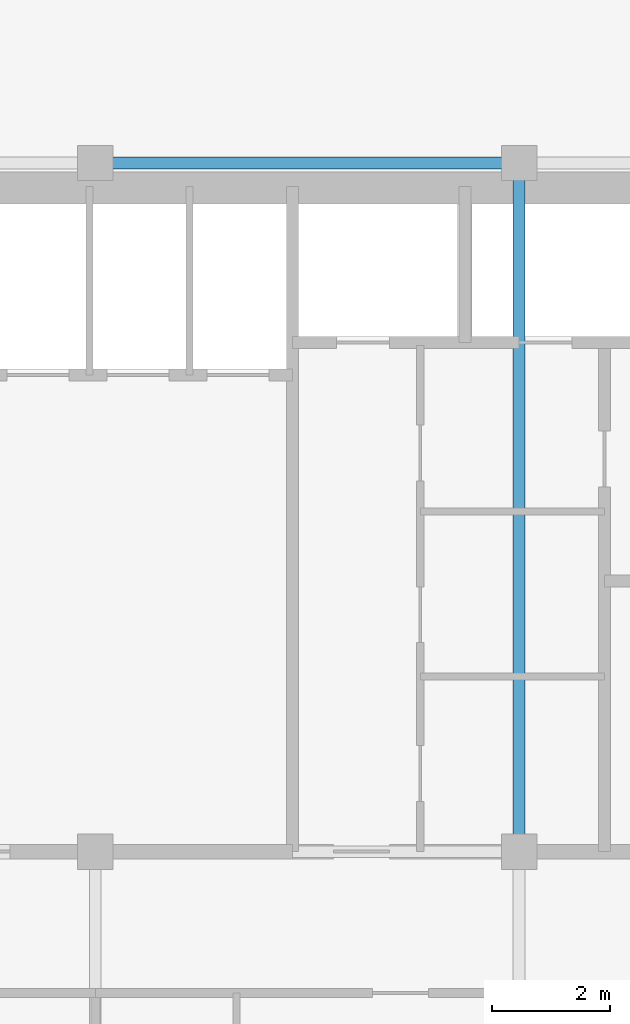
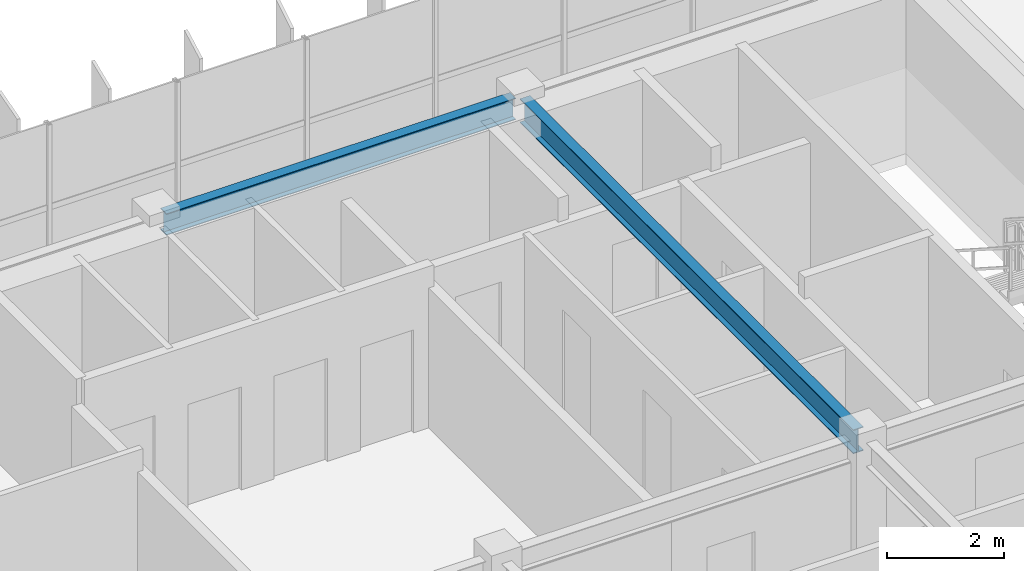
# One storey, part 10 of 22: 2 beams.
"""IFC4 building model written with IfcOpenShell, lengths in metres."""

import ifcopenshell
import ifcopenshell.guid

model = None  # the IFC model being written
_history = None  # IfcOwnerHistory: only IFC2X3 demands one
_inside = {}  # id of a spatial element -> (the spatial element, [elements in it])
_under = {}  # id of a project, library or spatial element -> (it, [spatial elements below it])
_declared = {}  # id of a project -> (the project, [libraries it declares])
_typed = {}  # id of a type object -> (the type object, [elements of that type])
_made_of = {}  # id of a material, layer set ... -> (it, [elements and type objects made of it])


def new_model(schema):
    """Start an empty IFC model of exactly this schema.

    Asked for "IFC4X3", IfcOpenShell would pick the latest addendum, in which some entities
    have other attributes; the version numbers below select the first issue.
    IFC2X3 requires an IfcOwnerHistory on every rooted entity: one is made here for all.
    """
    global model, _history
    if schema == "IFC4X3":
        model = ifcopenshell.file(schema_version=(4, 3, 0, 0))
    else:
        model = ifcopenshell.file(schema=schema)
    _inside.clear()
    _under.clear()
    _declared.clear()
    _typed.clear()
    _made_of.clear()
    _history = None
    if model.schema == "IFC2X3":
        org = make("IfcOrganization", Name="unknown")
        user = make(
            "IfcPersonAndOrganization",
            ThePerson=make("IfcPerson", FamilyName="unknown"),
            TheOrganization=org,
        )
        app = make(
            "IfcApplication",
            ApplicationDeveloper=org,
            Version="unknown",
            ApplicationFullName="unknown",
            ApplicationIdentifier="unknown",
        )
        _history = make(
            "IfcOwnerHistory",
            OwningUser=user,
            OwningApplication=app,
            ChangeAction="ADDED",
            CreationDate=0,
        )
    return model


def make(cls, **values):
    """One entity of the class cls with the attributes given. An attribute that is None is left unset."""
    return model.create_entity(
        cls, **{name: value for name, value in values.items() if value is not None}
    )


def rooted(cls, **values):
    """An entity with a GlobalId (a new one), such as an element, a storey or a relation."""
    return make(cls, GlobalId=ifcopenshell.guid.new(), OwnerHistory=_history, **values)


def si_unit(unit_type, name, prefix=None):
    """IfcSIUnit, for example si_unit("LENGTHUNIT", "METRE", prefix="MILLI")."""
    return make("IfcSIUnit", UnitType=unit_type, Prefix=prefix, Name=name)


def assignment(units):
    """IfcUnitAssignment: the units of a project."""
    return None if units is None else make("IfcUnitAssignment", Units=units)


def point(xyz):
    """IfcCartesianPoint."""
    return None if xyz is None else make("IfcCartesianPoint", Coordinates=xyz)


def direction(xyz):
    """IfcDirection."""
    return None if xyz is None else make("IfcDirection", DirectionRatios=xyz)


def frame(location, z_axis=None, x_axis=None):
    """IfcAxis2Placement3D, a coordinate frame: its origin and axes. An axis left out is left unset."""
    return make(
        "IfcAxis2Placement3D",
        Location=point(location),
        Axis=direction(z_axis),
        RefDirection=direction(x_axis),
    )


def frame_2d(location, x_axis=None):
    """IfcAxis2Placement2D, a coordinate frame in the plane: its origin and x axis."""
    return make(
        "IfcAxis2Placement2D", Location=point(location), RefDirection=direction(x_axis)
    )


def origin():
    """The frame at (0, 0, 0) with its axes left unset."""
    return frame((0.0, 0.0, 0.0))


def origin_2d():
    """The frame at (0, 0) in the plane with its x axis left unset."""
    return frame_2d((0.0, 0.0))


def place(relative_to, where):
    """IfcLocalPlacement: puts the frame where relative to a parent placement (None: the world)."""
    return make(
        "IfcLocalPlacement", PlacementRelTo=relative_to, RelativePlacement=where
    )


def context(
    kind, dimensions, precision=None, world=None, true_north=None, identifier=None
):
    """IfcGeometricRepresentationContext, for example the 3D "Model" context."""
    return make(
        "IfcGeometricRepresentationContext",
        ContextIdentifier=identifier,
        ContextType=kind,
        CoordinateSpaceDimension=dimensions,
        Precision=precision,
        WorldCoordinateSystem=world,
        TrueNorth=true_north,
    )


def subcontext(parent, identifier, kind, view, scale=None):
    """IfcGeometricRepresentationSubContext, for example "Body" below "Model"."""
    return make(
        "IfcGeometricRepresentationSubContext",
        ContextIdentifier=identifier,
        ContextType=kind,
        ParentContext=parent,
        TargetScale=scale,
        TargetView=view,
    )


def project(units=None, contexts=None):
    """IfcProject with its units and contexts."""
    return rooted(
        "IfcProject",
        Name="project",
        RepresentationContexts=contexts,
        UnitsInContext=assignment(units),
    )


def spatial(cls, under=None, at=None, **own):
    """A site, building, storey or space (cls), placed at a placement, below another one or the project."""
    s = rooted(cls, ObjectPlacement=at, **own)
    if under is not None:
        _under.setdefault(under.id(), (under, []))[1].append(s)
    return s


def profile(cls, at=None, kind="AREA", **sizes):
    """A parametric profile (cls). Its sizes go by their IFC names, for example OverallWidth=200.0."""
    return make(cls, ProfileType=kind, Position=at, **sizes)


def i_section(**sizes):
    """IfcIShapeProfileDef."""
    return profile("IfcIShapeProfileDef", **sizes)


def extrude(swept, where, along, depth):
    """IfcExtrudedAreaSolid: the profile swept, set in the frame where, extruded along a direction by depth."""
    return make(
        "IfcExtrudedAreaSolid",
        SweptArea=swept,
        Position=where,
        ExtrudedDirection=direction(along),
        Depth=depth,
    )


def shape(context_of_items, identifier, shape_type, items):
    """IfcShapeRepresentation: the items that make up one representation, for example the "Body"."""
    return make(
        "IfcShapeRepresentation",
        ContextOfItems=context_of_items,
        RepresentationIdentifier=identifier,
        RepresentationType=shape_type,
        Items=items,
    )


def source(mapping_origin, context_of_items, identifier, shape_type, items):
    """IfcRepresentationMap: a shape defined once, which mapped items show again and again."""
    return make(
        "IfcRepresentationMap",
        MappingOrigin=mapping_origin,
        MappedRepresentation=shape(context_of_items, identifier, shape_type, items),
    )


def transform(
    local_origin,
    x_axis=None,
    y_axis=None,
    z_axis=None,
    scale=None,
    scale2=None,
    scale3=None,
    uniform=True,
):
    """IfcCartesianTransformationOperator3D, or its non-uniform kind. x_axis, y_axis, z_axis: its Axis1, 2, 3."""
    if uniform:
        return make(
            "IfcCartesianTransformationOperator3D",
            Axis1=direction(x_axis),
            Axis2=direction(y_axis),
            LocalOrigin=point(local_origin),
            Scale=scale,
            Axis3=direction(z_axis),
        )
    return make(
        "IfcCartesianTransformationOperator3DnonUniform",
        Axis1=direction(x_axis),
        Axis2=direction(y_axis),
        LocalOrigin=point(local_origin),
        Scale=scale,
        Axis3=direction(z_axis),
        Scale2=scale2,
        Scale3=scale3,
    )


def mapped(mapping_source, mapping_target):
    """IfcMappedItem: shows the shape of a source again, moved by a transform."""
    return make(
        "IfcMappedItem", MappingSource=mapping_source, MappingTarget=mapping_target
    )


def material(Name=None, Category=None):
    """IfcMaterial."""
    return make("IfcMaterial", Name=Name, Category=Category)


def material_profile(
    of_material, cross_section, Name=None, Category=None, Priority=None
):
    """IfcMaterialProfile: a cross section and its material."""
    return make(
        "IfcMaterialProfile",
        Name=Name,
        Material=of_material,
        Profile=cross_section,
        Priority=Priority,
        Category=Category,
    )


def profile_set(profiles, Name=None, composite=None):
    """IfcMaterialProfileSet."""
    return make(
        "IfcMaterialProfileSet",
        Name=Name,
        MaterialProfiles=profiles,
        CompositeProfile=composite,
    )


def made_of(thing, what):
    """Note that an element or type object is made of a material, layer set ...; save() writes the relation."""
    if what is not None:
        _made_of.setdefault(what.id(), (what, []))[1].append(thing)
    return thing


def type_object(cls, material=None, **own):
    """A type object (cls), such as IfcWallType, which elements share."""
    return made_of(rooted(cls, **own), material)


def element(
    cls,
    number,
    at=None,
    inside=None,
    cuts=None,
    type_object=None,
    material=None,
    context=None,
    identifier="Body",
    shape_type=None,
    held_by="IfcProductDefinitionShape",
    body=None,
    shapes=None,
    **own,
):
    """One element of the class cls, such as IfcWall. Its Tag is "e" and its number.

    at: its placement. inside: the storey or other place that contains it. cuts: it is an
    opening in that element (IfcRelVoidsElement). A single representation is given by context,
    identifier, shape_type and body (its items); several are given by shapes. held_by: the class
    of the entity that holds the representations. save() writes the other relations.
    """
    e = rooted(cls, Tag="e%d" % number, ObjectPlacement=at, **own)
    if body is not None:
        shapes = [shape(context, identifier, shape_type, body)]
    if shapes is not None:
        e.Representation = make(held_by, Representations=shapes)
    if inside is not None:
        _inside.setdefault(inside.id(), (inside, []))[1].append(e)
    if cuts is not None:
        rooted(
            "IfcRelVoidsElement", RelatingBuildingElement=cuts, RelatedOpeningElement=e
        )
    if type_object is not None:
        _typed.setdefault(type_object.id(), (type_object, []))[1].append(e)
    return made_of(e, material)


def aggregate(whole, parts):
    """IfcRelAggregates: a whole, such as a stair, and the parts it consists of."""
    return rooted("IfcRelAggregates", RelatingObject=whole, RelatedObjects=parts)


def save(model, path):
    """Write the relations noted so far, then the file.

    IfcRelAggregates (storeys below a building ...), IfcRelContainedInSpatialStructure (elements
    in a storey), IfcRelDefinesByType, IfcRelAssociatesMaterial and IfcRelDeclares: one each for
    every whole, place, type object, material and project.
    """
    for whole, parts in _under.values():
        aggregate(whole, parts)
    for where, things in _inside.values():
        rooted(
            "IfcRelContainedInSpatialStructure",
            RelatedElements=things,
            RelatingStructure=where,
        )
    for kind, things in _typed.values():
        rooted("IfcRelDefinesByType", RelatedObjects=things, RelatingType=kind)
    for what, things in _made_of.values():
        rooted("IfcRelAssociatesMaterial", RelatedObjects=things, RelatingMaterial=what)
    for by, libraries in _declared.values():
        rooted("IfcRelDeclares", RelatingContext=by, RelatedDefinitions=libraries)
    model.write(path)


model = new_model("IFC4")

# Units and contexts
model_context = context("Model", 3, precision=1e-05, world=origin(), true_north=direction((0.0, 1.0)))
body_context = subcontext(model_context, "Body", "Model", "MODEL_VIEW")
ifc_project = project(units=[si_unit("LENGTHUNIT", "METRE"), si_unit("AREAUNIT", "SQUARE_METRE"), si_unit("VOLUMEUNIT", "CUBIC_METRE"), si_unit("PLANEANGLEUNIT", "RADIAN"), si_unit("MASSUNIT", "GRAM", prefix="KILO")], contexts=[model_context])

# Site, building, storey
site_placement = place(None, origin())
site = spatial("IfcSite", under=ifc_project, at=site_placement, CompositionType="ELEMENT")
building_placement = place(site_placement, origin())
building = spatial("IfcBuilding", under=site, at=building_placement, Name="Trelvane Seafront Commons", CompositionType="ELEMENT")
storey_placement = place(building_placement, frame((0.0, 0.0, 288.300048828125)))
storey = spatial("IfcBuildingStorey", under=building, at=storey_placement, Name="L75", CompositionType="ELEMENT", Elevation=288.300048828125)

# Beams
ifc_material = material(Name="Steel SM355 (S355)", Category="steel")
ifc_material_profile_1 = material_profile(ifc_material, i_section(OverallWidth=0.199951171875, OverallDepth=0.5, WebThickness=0.010009765625, FlangeThickness=0.01611328125, at=origin_2d()), Name="H-500x200x10x16")
ifc_profile_set_1 = profile_set([ifc_material_profile_1], Name="Steel SM355 (S355)")
beam_type_1 = type_object("IfcBeamType", Name="STR-BM-H500", PredefinedType="BEAM", material=ifc_profile_set_1)
shared_shape_1 = source(origin(), body_context, "Body", "SweptSolid", [
    extrude(i_section(OverallWidth=0.199951171875, OverallDepth=0.5, WebThickness=0.010009765625, FlangeThickness=0.01611328125, at=origin_2d()), origin(), (0.0, 0.0, 1.0), 11.39990234375),
])
beam_1_placement = place(storey_placement, frame((51.0, 33.550048828125, 3.119873046875), z_axis=(0.0, 1.0, 0.0), x_axis=(-1.0, 0.0, 0.0)))
element("IfcBeam", 1, at=beam_1_placement, inside=storey, type_object=beam_type_1, Name="L75 Primary Girder G-46", PredefinedType="BEAM", context=body_context, shape_type="MappedRepresentation", body=[
    mapped(shared_shape_1, transform((0.0, 0.0, 0.0), x_axis=(1.0, 0.0, 0.0), y_axis=(0.0, 1.0, 0.0), z_axis=(0.0, 0.0, 1.0), scale=1.0)),
])
ifc_material_profile_2 = material_profile(ifc_material, i_section(OverallWidth=0.199951171875, OverallDepth=0.449951171875, WebThickness=0.009033203125, FlangeThickness=0.013916015625, at=origin_2d()), Name="H-450x200x9x14")
ifc_profile_set_2 = profile_set([ifc_material_profile_2], Name="Steel SM355 (S355)")
beam_type_2 = type_object("IfcBeamType", Name="STR-SPD-H450", PredefinedType="SPANDREL", material=ifc_profile_set_2)
shared_shape_2 = source(origin(), body_context, "Body", "SweptSolid", [
    extrude(i_section(OverallWidth=0.199951171875, OverallDepth=0.449951171875, WebThickness=0.009033203125, FlangeThickness=0.013916015625, at=origin_2d()), origin(), (0.0, 0.0, 1.0), 6.900146484375),
])
beam_2_placement = place(storey_placement, frame((43.949951171875, 45.10009765625, 3.14501953125), z_axis=(1.0, 0.0, 0.0), x_axis=(0.0, 1.0, 0.0)))
element("IfcBeam", 2, at=beam_2_placement, inside=storey, type_object=beam_type_2, Name="L75 Primary Girder G-26", PredefinedType="SPANDREL", context=body_context, shape_type="MappedRepresentation", body=[
    mapped(shared_shape_2, transform((0.0, 0.0, 0.0), x_axis=(1.0, 0.0, 0.0), y_axis=(0.0, 1.0, 0.0), z_axis=(0.0, 0.0, 1.0), scale=1.0)),
])

save(model, "model.ifc")
